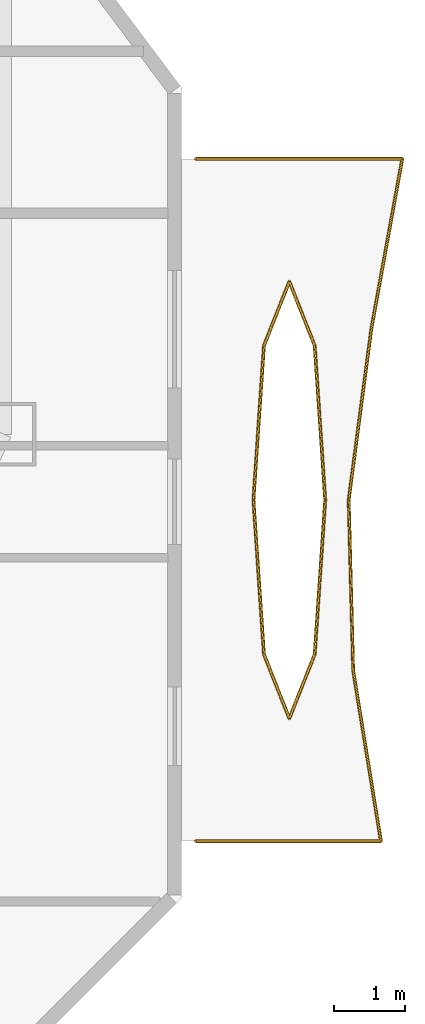
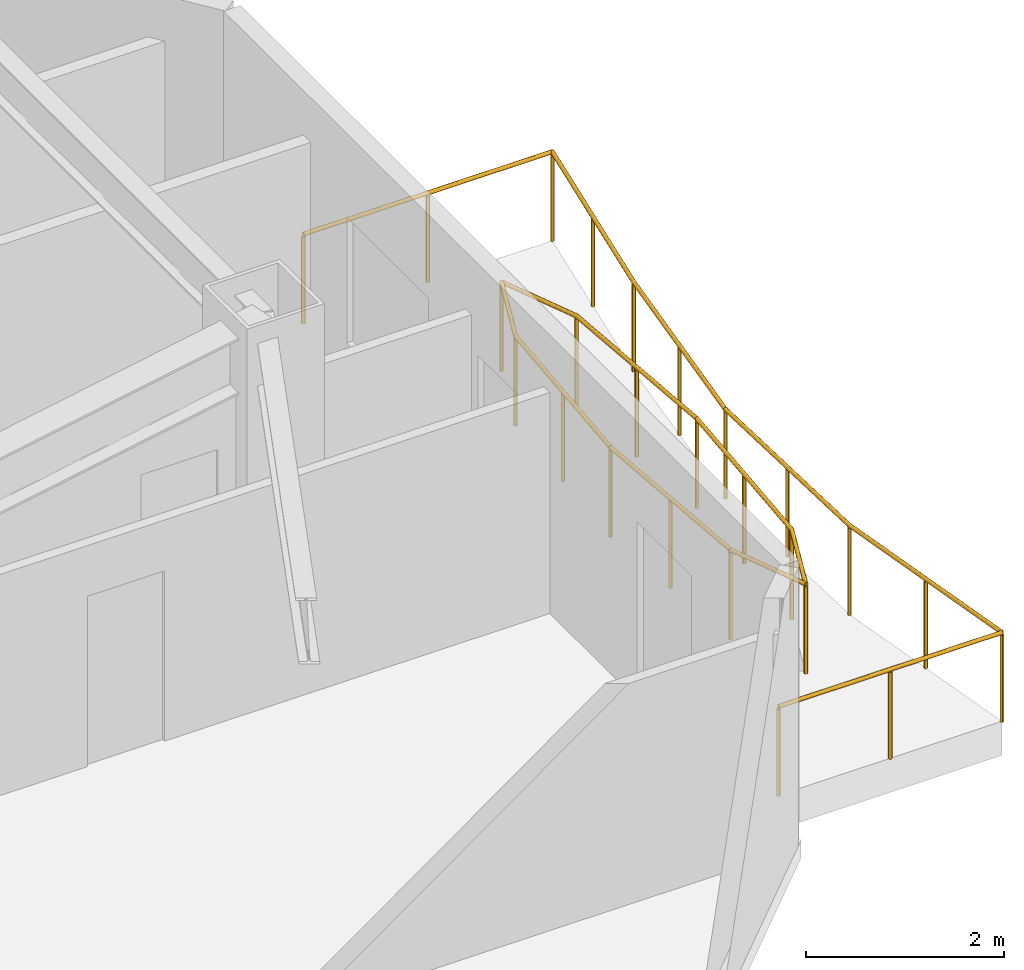
# One storey, part 17 of 17: 4 railings.
"""IFC4 building model written with IfcOpenShell, lengths in metres."""

import ifcopenshell
import ifcopenshell.guid

model = None  # the IFC model being written
_history = None  # IfcOwnerHistory: only IFC2X3 demands one
_inside = {}  # id of a spatial element -> (the spatial element, [elements in it])
_under = {}  # id of a project, library or spatial element -> (it, [spatial elements below it])
_declared = {}  # id of a project -> (the project, [libraries it declares])
_typed = {}  # id of a type object -> (the type object, [elements of that type])
_made_of = {}  # id of a material, layer set ... -> (it, [elements and type objects made of it])


def new_model(schema):
    """Start an empty IFC model of exactly this schema.

    Asked for "IFC4X3", IfcOpenShell would pick the latest addendum, in which some entities
    have other attributes; the version numbers below select the first issue.
    IFC2X3 requires an IfcOwnerHistory on every rooted entity: one is made here for all.
    """
    global model, _history
    if schema == "IFC4X3":
        model = ifcopenshell.file(schema_version=(4, 3, 0, 0))
    else:
        model = ifcopenshell.file(schema=schema)
    _inside.clear()
    _under.clear()
    _declared.clear()
    _typed.clear()
    _made_of.clear()
    _history = None
    if model.schema == "IFC2X3":
        org = make("IfcOrganization", Name="unknown")
        user = make(
            "IfcPersonAndOrganization",
            ThePerson=make("IfcPerson", FamilyName="unknown"),
            TheOrganization=org,
        )
        app = make(
            "IfcApplication",
            ApplicationDeveloper=org,
            Version="unknown",
            ApplicationFullName="unknown",
            ApplicationIdentifier="unknown",
        )
        _history = make(
            "IfcOwnerHistory",
            OwningUser=user,
            OwningApplication=app,
            ChangeAction="ADDED",
            CreationDate=0,
        )
    return model


def make(cls, **values):
    """One entity of the class cls with the attributes given. An attribute that is None is left unset."""
    return model.create_entity(
        cls, **{name: value for name, value in values.items() if value is not None}
    )


def rooted(cls, **values):
    """An entity with a GlobalId (a new one), such as an element, a storey or a relation."""
    return make(cls, GlobalId=ifcopenshell.guid.new(), OwnerHistory=_history, **values)


def si_unit(unit_type, name, prefix=None):
    """IfcSIUnit, for example si_unit("LENGTHUNIT", "METRE", prefix="MILLI")."""
    return make("IfcSIUnit", UnitType=unit_type, Prefix=prefix, Name=name)


def assignment(units):
    """IfcUnitAssignment: the units of a project."""
    return None if units is None else make("IfcUnitAssignment", Units=units)


def point(xyz):
    """IfcCartesianPoint."""
    return None if xyz is None else make("IfcCartesianPoint", Coordinates=xyz)


def direction(xyz):
    """IfcDirection."""
    return None if xyz is None else make("IfcDirection", DirectionRatios=xyz)


def frame(location, z_axis=None, x_axis=None):
    """IfcAxis2Placement3D, a coordinate frame: its origin and axes. An axis left out is left unset."""
    return make(
        "IfcAxis2Placement3D",
        Location=point(location),
        Axis=direction(z_axis),
        RefDirection=direction(x_axis),
    )


def frame_2d(location, x_axis=None):
    """IfcAxis2Placement2D, a coordinate frame in the plane: its origin and x axis."""
    return make(
        "IfcAxis2Placement2D", Location=point(location), RefDirection=direction(x_axis)
    )


def origin():
    """The frame at (0, 0, 0) with its axes left unset."""
    return frame((0.0, 0.0, 0.0))


def origin_2d():
    """The frame at (0, 0) in the plane with its x axis left unset."""
    return frame_2d((0.0, 0.0))


def place(relative_to, where):
    """IfcLocalPlacement: puts the frame where relative to a parent placement (None: the world)."""
    return make(
        "IfcLocalPlacement", PlacementRelTo=relative_to, RelativePlacement=where
    )


def context(
    kind, dimensions, precision=None, world=None, true_north=None, identifier=None
):
    """IfcGeometricRepresentationContext, for example the 3D "Model" context."""
    return make(
        "IfcGeometricRepresentationContext",
        ContextIdentifier=identifier,
        ContextType=kind,
        CoordinateSpaceDimension=dimensions,
        Precision=precision,
        WorldCoordinateSystem=world,
        TrueNorth=true_north,
    )


def subcontext(parent, identifier, kind, view, scale=None):
    """IfcGeometricRepresentationSubContext, for example "Body" below "Model"."""
    return make(
        "IfcGeometricRepresentationSubContext",
        ContextIdentifier=identifier,
        ContextType=kind,
        ParentContext=parent,
        TargetScale=scale,
        TargetView=view,
    )


def project(units=None, contexts=None):
    """IfcProject with its units and contexts."""
    return rooted(
        "IfcProject",
        Name="project",
        RepresentationContexts=contexts,
        UnitsInContext=assignment(units),
    )


def spatial(cls, under=None, at=None, **own):
    """A site, building, storey or space (cls), placed at a placement, below another one or the project."""
    s = rooted(cls, ObjectPlacement=at, **own)
    if under is not None:
        _under.setdefault(under.id(), (under, []))[1].append(s)
    return s


def profile(cls, at=None, kind="AREA", **sizes):
    """A parametric profile (cls). Its sizes go by their IFC names, for example OverallWidth=200.0."""
    return make(cls, ProfileType=kind, Position=at, **sizes)


def circle(**sizes):
    """IfcCircleProfileDef."""
    return profile("IfcCircleProfileDef", **sizes)


def extrude(swept, where, along, depth):
    """IfcExtrudedAreaSolid: the profile swept, set in the frame where, extruded along a direction by depth."""
    return make(
        "IfcExtrudedAreaSolid",
        SweptArea=swept,
        Position=where,
        ExtrudedDirection=direction(along),
        Depth=depth,
    )


def shape(context_of_items, identifier, shape_type, items):
    """IfcShapeRepresentation: the items that make up one representation, for example the "Body"."""
    return make(
        "IfcShapeRepresentation",
        ContextOfItems=context_of_items,
        RepresentationIdentifier=identifier,
        RepresentationType=shape_type,
        Items=items,
    )


def material(Name=None, Category=None):
    """IfcMaterial."""
    return make("IfcMaterial", Name=Name, Category=Category)


def made_of(thing, what):
    """Note that an element or type object is made of a material, layer set ...; save() writes the relation."""
    if what is not None:
        _made_of.setdefault(what.id(), (what, []))[1].append(thing)
    return thing


def type_object(cls, material=None, **own):
    """A type object (cls), such as IfcWallType, which elements share."""
    return made_of(rooted(cls, **own), material)


def element(
    cls,
    number,
    at=None,
    inside=None,
    cuts=None,
    type_object=None,
    material=None,
    context=None,
    identifier="Body",
    shape_type=None,
    held_by="IfcProductDefinitionShape",
    body=None,
    shapes=None,
    **own,
):
    """One element of the class cls, such as IfcWall. Its Tag is "e" and its number.

    at: its placement. inside: the storey or other place that contains it. cuts: it is an
    opening in that element (IfcRelVoidsElement). A single representation is given by context,
    identifier, shape_type and body (its items); several are given by shapes. held_by: the class
    of the entity that holds the representations. save() writes the other relations.
    """
    e = rooted(cls, Tag="e%d" % number, ObjectPlacement=at, **own)
    if body is not None:
        shapes = [shape(context, identifier, shape_type, body)]
    if shapes is not None:
        e.Representation = make(held_by, Representations=shapes)
    if inside is not None:
        _inside.setdefault(inside.id(), (inside, []))[1].append(e)
    if cuts is not None:
        rooted(
            "IfcRelVoidsElement", RelatingBuildingElement=cuts, RelatedOpeningElement=e
        )
    if type_object is not None:
        _typed.setdefault(type_object.id(), (type_object, []))[1].append(e)
    return made_of(e, material)


def aggregate(whole, parts):
    """IfcRelAggregates: a whole, such as a stair, and the parts it consists of."""
    return rooted("IfcRelAggregates", RelatingObject=whole, RelatedObjects=parts)


def save(model, path):
    """Write the relations noted so far, then the file.

    IfcRelAggregates (storeys below a building ...), IfcRelContainedInSpatialStructure (elements
    in a storey), IfcRelDefinesByType, IfcRelAssociatesMaterial and IfcRelDeclares: one each for
    every whole, place, type object, material and project.
    """
    for whole, parts in _under.values():
        aggregate(whole, parts)
    for where, things in _inside.values():
        rooted(
            "IfcRelContainedInSpatialStructure",
            RelatedElements=things,
            RelatingStructure=where,
        )
    for kind, things in _typed.values():
        rooted("IfcRelDefinesByType", RelatedObjects=things, RelatingType=kind)
    for what, things in _made_of.values():
        rooted("IfcRelAssociatesMaterial", RelatedObjects=things, RelatingMaterial=what)
    for by, libraries in _declared.values():
        rooted("IfcRelDeclares", RelatingContext=by, RelatedDefinitions=libraries)
    model.write(path)


model = new_model("IFC4")

# Units and contexts
model_context = context("Model", 3, precision=1e-05, world=origin(), true_north=direction((0.0, 1.0)))
body_context = subcontext(model_context, "Body", "Model", "MODEL_VIEW")
ifc_project = project(units=[si_unit("LENGTHUNIT", "METRE"), si_unit("AREAUNIT", "SQUARE_METRE"), si_unit("VOLUMEUNIT", "CUBIC_METRE"), si_unit("PLANEANGLEUNIT", "RADIAN"), si_unit("MASSUNIT", "GRAM", prefix="KILO")], contexts=[model_context])

# Site, building, storey
site_placement = place(None, origin())
site = spatial("IfcSite", under=ifc_project, at=site_placement, CompositionType="ELEMENT")
building_placement = place(site_placement, origin())
building = spatial("IfcBuilding", under=site, at=building_placement, Name="Khamvora Tower", CompositionType="ELEMENT")
storey_placement = place(building_placement, frame((0.0, 0.0, 192.39990234375)))
storey = spatial("IfcBuildingStorey", under=building, at=storey_placement, Name="L49", CompositionType="ELEMENT", Elevation=192.39990234375)

# Railings
ifc_material = material(Name="Stainless Steel 316 and Laminated Glass", Category="steel")
railing_type = type_object("IfcRailingType", Name="RAL-GAL-1120", PredefinedType="GUARDRAIL", material=ifc_material)
railing_1_placement = place(storey_placement, frame((63.39990234375, 14.199951171875, 0.0)))
element("IfcRailing", 1, at=railing_1_placement, inside=storey, type_object=railing_type, Name="L49 lens gallery south perimeter guardrail EL1", PredefinedType="GUARDRAIL", context=body_context, shape_type="SweptSolid", body=[
    extrude(circle(Radius=0.02392578125, at=origin_2d()), frame((0.0, 0.0, 1.09619140625), z_axis=(1.0, 0.0, 0.0), x_axis=(0.0, 1.0, 0.0)), (0.0, 0.0, 1.0), 2.60498046875),
    extrude(circle(Radius=0.02392578125, at=origin_2d()), frame((2.60498046875, 0.0, 1.09619140625), z_axis=(-0.160734739437, 0.986997641101, 0.0), x_axis=(-0.986997641101, -0.160734739437, 0.0)), (0.0, 0.0, 1.0), 2.431884765625),
    extrude(circle(Radius=0.02392578125, at=origin_2d()), frame((2.214111328125, 2.400146484375, 1.09619140625), z_axis=(-0.026237149812, 0.99965574673, 0.0), x_axis=(-0.99965574673, -0.026237149812, 0.0)), (0.0, 0.0, 1.0), 2.400634765625),
    extrude(circle(Radius=0.02099609375, at=origin_2d()), origin(), (0.0, 0.0, 1.0), 1.072021484375),
    extrude(circle(Radius=0.02099609375, at=origin_2d()), frame((1.302490234375, 0.0, 0.0)), (0.0, 0.0, 1.0), 1.072021484375),
    extrude(circle(Radius=0.02099609375, at=origin_2d()), frame((2.60498046875, 0.0, 0.0)), (0.0, 0.0, 1.0), 1.072021484375),
    extrude(circle(Radius=0.02099609375, at=origin_2d()), frame((2.40966796875, 1.2001953125, 0.0)), (0.0, 0.0, 1.0), 1.072021484375),
    extrude(circle(Radius=0.02099609375, at=origin_2d()), frame((2.214111328125, 2.400146484375, 0.0)), (0.0, 0.0, 1.0), 1.072021484375),
    extrude(circle(Radius=0.02099609375, at=origin_2d()), frame((2.1826171875, 3.60009765625, 0.0)), (0.0, 0.0, 1.0), 1.072021484375),
    extrude(circle(Radius=0.02099609375, at=origin_2d()), frame((2.151123046875, 4.800048828125, 0.0)), (0.0, 0.0, 1.0), 1.072021484375),
])
railing_2_placement = place(storey_placement, frame((65.551025390625, 19.0, 0.0)))
element("IfcRailing", 2, at=railing_2_placement, inside=storey, type_object=railing_type, Name="L49 lens gallery north perimeter guardrail EL1", PredefinedType="GUARDRAIL", context=body_context, shape_type="SweptSolid", body=[
    extrude(circle(Radius=0.02392578125, at=origin_2d()), frame((0.0, 0.0, 1.09619140625), z_axis=(0.131304915785, 0.991342029317, 0.0), x_axis=(-0.991342029317, 0.131304915785, 0.0)), (0.0, 0.0, 1.0), 2.4208984375),
    extrude(circle(Radius=0.02392578125, at=origin_2d()), frame((0.31787109375, 2.39990234375, 1.09619140625), z_axis=(0.17874452243, 0.983895520724, 0.0), x_axis=(-0.983895520724, 0.17874452243, 0.0)), (0.0, 0.0, 1.0), 2.439453125),
    extrude(circle(Radius=0.02392578125, at=origin_2d()), frame((0.75390625, 4.800048828125, 1.09619140625), z_axis=(-1.0, 0.0, 0.0), x_axis=(0.0, -1.0, 0.0)), (0.0, 0.0, 1.0), 2.905029296875),
    extrude(circle(Radius=0.02099609375, at=origin_2d()), origin(), (0.0, 0.0, 1.0), 1.072021484375),
    extrude(circle(Radius=0.02099609375, at=origin_2d()), frame((0.158935546875, 1.199951171875, 0.0)), (0.0, 0.0, 1.0), 1.072021484375),
    extrude(circle(Radius=0.02099609375, at=origin_2d()), frame((0.31787109375, 2.39990234375, 0.0)), (0.0, 0.0, 1.0), 1.072021484375),
    extrude(circle(Radius=0.02099609375, at=origin_2d()), frame((0.535888671875, 3.60009765625, 0.0)), (0.0, 0.0, 1.0), 1.072021484375),
    extrude(circle(Radius=0.02099609375, at=origin_2d()), frame((0.75390625, 4.800048828125, 0.0)), (0.0, 0.0, 1.0), 1.072021484375),
    extrude(circle(Radius=0.02099609375, at=origin_2d()), frame((-0.69873046875, 4.800048828125, 0.0)), (0.0, 0.0, 1.0), 1.072021484375),
    extrude(circle(Radius=0.02099609375, at=origin_2d()), frame((-2.151123046875, 4.800048828125, 0.0)), (0.0, 0.0, 1.0), 1.072021484375),
])
railing_3_placement = place(storey_placement, frame((65.218994140625, 19.0, 0.0)))
element("IfcRailing", 3, at=railing_3_placement, inside=storey, type_object=railing_type, Name="L49 lens gallery void guardrail EL1A", PredefinedType="GUARDRAIL", context=body_context, shape_type="SweptSolid", body=[
    extrude(circle(Radius=0.02392578125, at=origin_2d()), frame((0.0, 0.0, 1.09619140625), z_axis=(-0.067955394668, 0.997688360329, 0.0), x_axis=(-0.997688360329, -0.067955394668, 0.0)), (0.0, 0.0, 1.0), 2.17724609375),
    extrude(circle(Radius=0.02392578125, at=origin_2d()), frame((-0.14794921875, 2.172119140625, 1.09619140625), z_axis=(-0.367821247872, 0.92989651554, 0.0), x_axis=(-0.92989651554, -0.367821247872, 0.0)), (0.0, 0.0, 1.0), 0.9677734375),
    extrude(circle(Radius=0.02392578125, at=origin_2d()), frame((-0.50390625, 3.072021484375, 1.09619140625), z_axis=(-0.368039364147, -0.929810209902, 0.0), x_axis=(0.929810209902, -0.368039364147, 0.0)), (0.0, 0.0, 1.0), 0.9677734375),
    extrude(circle(Radius=0.02392578125, at=origin_2d()), frame((-0.860107421875, 2.172119140625, 1.09619140625), z_axis=(-0.067955394668, -0.997688360329, 0.0), x_axis=(0.997688360329, -0.067955394668, 0.0)), (0.0, 0.0, 1.0), 2.17724609375),
    extrude(circle(Radius=0.02099609375, at=origin_2d()), origin(), (0.0, 0.0, 1.0), 1.072021484375),
    extrude(circle(Radius=0.02099609375, at=origin_2d()), frame((-0.073974609375, 1.0859375, 0.0)), (0.0, 0.0, 1.0), 1.072021484375),
    extrude(circle(Radius=0.02099609375, at=origin_2d()), frame((-0.14794921875, 2.172119140625, 0.0)), (0.0, 0.0, 1.0), 1.072021484375),
    extrude(circle(Radius=0.02099609375, at=origin_2d()), frame((-0.50390625, 3.072021484375, 0.0)), (0.0, 0.0, 1.0), 1.072021484375),
    extrude(circle(Radius=0.02099609375, at=origin_2d()), frame((-0.860107421875, 2.172119140625, 0.0)), (0.0, 0.0, 1.0), 1.072021484375),
    extrude(circle(Radius=0.02099609375, at=origin_2d()), frame((-0.93408203125, 1.0859375, 0.0)), (0.0, 0.0, 1.0), 1.072021484375),
    extrude(circle(Radius=0.02099609375, at=origin_2d()), frame((-1.008056640625, 0.0, 0.0)), (0.0, 0.0, 1.0), 1.072021484375),
])
railing_4_placement = place(storey_placement, frame((64.2109375, 19.0, 0.0)))
element("IfcRailing", 4, at=railing_4_placement, inside=storey, type_object=railing_type, Name="L49 lens gallery void guardrail EL1B", PredefinedType="GUARDRAIL", context=body_context, shape_type="SweptSolid", body=[
    extrude(circle(Radius=0.02392578125, at=origin_2d()), frame((0.0, 0.0, 1.09619140625), z_axis=(0.067955394668, -0.997688360329, 0.0), x_axis=(0.997688360329, 0.067955394668, 0.0)), (0.0, 0.0, 1.0), 2.17724609375),
    extrude(circle(Radius=0.02392578125, at=origin_2d()), frame((0.14794921875, -2.172119140625, 1.09619140625), z_axis=(0.368039364147, -0.929810209902, 0.0), x_axis=(0.929810209902, 0.368039364147, 0.0)), (0.0, 0.0, 1.0), 0.9677734375),
    extrude(circle(Radius=0.02392578125, at=origin_2d()), frame((0.504150390625, -3.072021484375, 1.09619140625), z_axis=(0.367821247872, 0.92989651554, 0.0), x_axis=(-0.92989651554, 0.367821247872, 0.0)), (0.0, 0.0, 1.0), 0.9677734375),
    extrude(circle(Radius=0.02392578125, at=origin_2d()), frame((0.860107421875, -2.172119140625, 1.09619140625), z_axis=(0.067955394668, 0.997688360329, 0.0), x_axis=(-0.997688360329, 0.067955394668, 0.0)), (0.0, 0.0, 1.0), 2.17724609375),
    extrude(circle(Radius=0.02099609375, at=origin_2d()), origin(), (0.0, 0.0, 1.0), 1.072021484375),
    extrude(circle(Radius=0.02099609375, at=origin_2d()), frame((0.073974609375, -1.0859375, 0.0)), (0.0, 0.0, 1.0), 1.072021484375),
    extrude(circle(Radius=0.02099609375, at=origin_2d()), frame((0.14794921875, -2.172119140625, 0.0)), (0.0, 0.0, 1.0), 1.072021484375),
    extrude(circle(Radius=0.02099609375, at=origin_2d()), frame((0.504150390625, -3.072021484375, 0.0)), (0.0, 0.0, 1.0), 1.072021484375),
    extrude(circle(Radius=0.02099609375, at=origin_2d()), frame((0.860107421875, -2.172119140625, 0.0)), (0.0, 0.0, 1.0), 1.072021484375),
    extrude(circle(Radius=0.02099609375, at=origin_2d()), frame((0.93408203125, -1.0859375, 0.0)), (0.0, 0.0, 1.0), 1.072021484375),
    extrude(circle(Radius=0.02099609375, at=origin_2d()), frame((1.008056640625, 0.0, 0.0)), (0.0, 0.0, 1.0), 1.072021484375),
])

save(model, "model.ifc")
